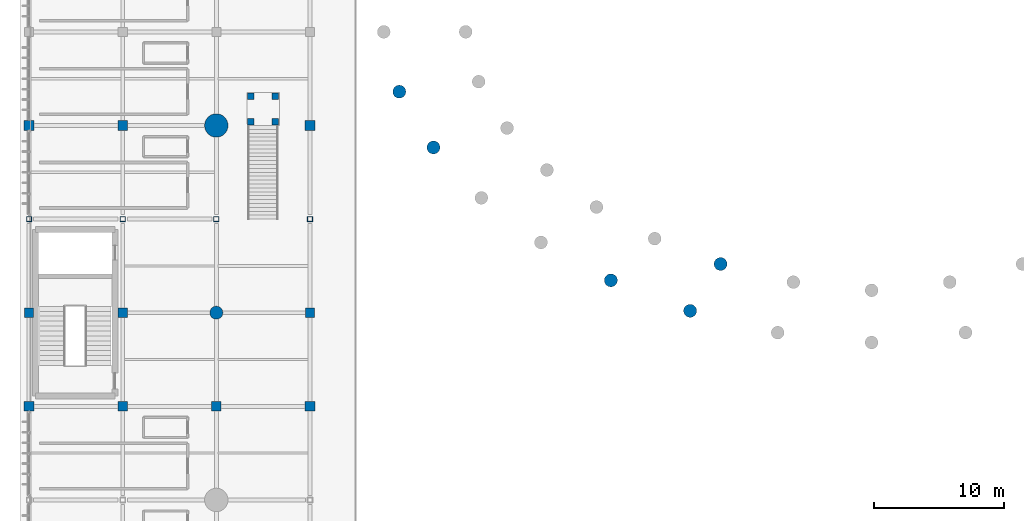
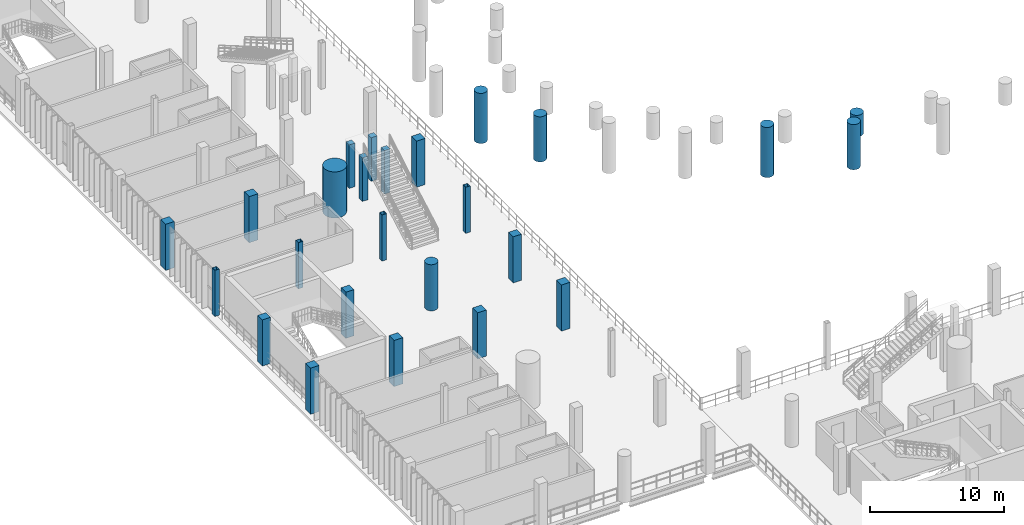
# One storey, part 3 of 130: 25 columns.
"""IFC4 building model written with IfcOpenShell, lengths in metres."""

from ifc_helpers import new_model, si_unit, direction, frame, origin, origin_2d, place, context, subcontext, project, spatial, rectangle, hollow_rectangle, circle, extrude, material, material_profile, profile_set, type_object, element, save


model = new_model("IFC4")

# Units and contexts
model_context = context("Model", 3, precision=1e-05, world=origin(), true_north=direction((0.0, 1.0)))
body_context = subcontext(model_context, "Body", "Model", "MODEL_VIEW")
ifc_project = project(units=[si_unit("LENGTHUNIT", "METRE"), si_unit("AREAUNIT", "SQUARE_METRE"), si_unit("VOLUMEUNIT", "CUBIC_METRE"), si_unit("PLANEANGLEUNIT", "RADIAN"), si_unit("MASSUNIT", "GRAM", prefix="KILO")], contexts=[model_context])

# Site, building, storey
site_placement = place(None, origin())
site = spatial("IfcSite", under=ifc_project, at=site_placement, CompositionType="ELEMENT")
building_placement = place(site_placement, origin())
building = spatial("IfcBuilding", under=site, at=building_placement, Name="Qandorah Velis Arena", CompositionType="ELEMENT")
storey_placement = place(building_placement, frame((0.0, 0.0, 9.60009765625)))
storey = spatial("IfcBuildingStorey", under=building, at=storey_placement, Name="L02", CompositionType="ELEMENT", Elevation=9.60009765625)

# Columns
ifc_material_1 = material(Name="Concrete C50/60", Category="concrete")
ifc_material_profile_1 = material_profile(ifc_material_1, circle(Radius=0.89990234375, at=origin_2d()), Name="MC D1800")
ifc_profile_set_1 = profile_set([ifc_material_profile_1], Name="Concrete C50/60")
column_type_1 = type_object("IfcColumnType", Name="STR-COL-MC1800", PredefinedType="COLUMN", material=ifc_profile_set_1)
column_1_placement = place(storey_placement, frame((14.39990234375, 57.60009765625, 0.0), z_axis=(0.0, 0.0, 1.0), x_axis=(1.0, 0.0, 0.0)))
element("IfcColumn", 1, at=column_1_placement, inside=storey, type_object=column_type_1, Name="Mega column MC2 (L02)", PredefinedType="COLUMN", context=body_context, shape_type="SweptSolid", body=[
    extrude(circle(Radius=0.89990234375, at=origin_2d()), origin(), (0.0, 0.0, 1.0), 4.199951171875),
])
ifc_material_2 = material(Name="Concrete C40/50", Category="concrete")
ifc_material_profile_2 = material_profile(ifc_material_2, rectangle(XDim=0.5, YDim=0.5, at=origin_2d()), Name="RC COL 500x500")
ifc_profile_set_2 = profile_set([ifc_material_profile_2], Name="Concrete C40/50")
column_type_2 = type_object("IfcColumnType", Name="STR-COL-RC500", PredefinedType="COLUMN", material=ifc_profile_set_2)
for number, where, z_axis, x_axis, name in (
    (2, (17.050048828125, 57.89990234375, 0.0), (0.0, 0.0, 1.0), (1.0, 0.0, 0.0), "Vomitory VS15 L02 landing column 1"),
    (3, (18.949951171875, 57.89990234375, 0.0), (0.0, 0.0, 1.0), (1.0, 0.0, 0.0), "Vomitory VS15 L02 landing column 2"),
    (4, (17.050048828125, 59.85009765625, 0.0), (0.0, 0.0, 1.0), (1.0, 0.0, 0.0), "Vomitory VS15 L02 landing column 3"),
    (5, (18.949951171875, 59.85009765625, 0.0), (0.0, 0.0, 1.0), (1.0, 0.0, 0.0), "Vomitory VS15 L02 landing column 4"),
):
    element("IfcColumn", number, at=place(storey_placement, frame(where, z_axis=z_axis, x_axis=x_axis)), inside=storey, type_object=column_type_2, Name=name, PredefinedType="COLUMN", context=body_context, shape_type="SweptSolid", body=[
        extrude(rectangle(XDim=0.5, YDim=0.5, at=origin_2d()), origin(), (0.0, 0.0, 1.0), 3.9599609375),
    ])
ifc_material_profile_3 = material_profile(ifc_material_2, rectangle(XDim=0.699951171875, YDim=0.699951171875, at=origin_2d()), Name="RC COL 700x700")
ifc_profile_set_3 = profile_set([ifc_material_profile_3], Name="Concrete C40/50")
column_type_3 = type_object("IfcColumnType", Name="STR-COL-RC700", PredefinedType="COLUMN", material=ifc_profile_set_3)
for number, where, z_axis, x_axis, name in (
    (6, (0.0, 43.199951171875, 0.0), (0.0, 0.0, 1.0), (1.0, 0.0, 0.0), "Structural column L02-004"),
    (7, (7.199951171875, 43.199951171875, 0.0), (0.0, 0.0, 1.0), (1.0, 0.0, 0.0), "Structural column L02-019"),
    (8, (21.60009765625, 43.199951171875, 0.0), (0.0, 0.0, 1.0), (1.0, 0.0, 0.0), "Structural column L02-049"),
):
    element("IfcColumn", number, at=place(storey_placement, frame(where, z_axis=z_axis, x_axis=x_axis)), inside=storey, type_object=column_type_3, Name=name, PredefinedType="COLUMN", context=body_context, shape_type="SweptSolid", body=[
        extrude(rectangle(XDim=0.699951171875, YDim=0.699951171875, at=origin_2d()), origin(), (0.0, 0.0, 1.0), 4.199951171875),
    ])
ifc_material_profile_4 = material_profile(ifc_material_2, rectangle(XDim=0.75, YDim=0.75, at=origin_2d()), Name="RC COL 750x750")
ifc_profile_set_4 = profile_set([ifc_material_profile_4], Name="Concrete C40/50")
column_type_4 = type_object("IfcColumnType", Name="STR-COL-RC750", PredefinedType="COLUMN", material=ifc_profile_set_4)
for number, where, z_axis, x_axis, name in (
    (9, (0.0, 36.0, 0.0), (0.0, 0.0, 1.0), (1.0, 0.0, 0.0), "Structural column L02-003"),
    (10, (0.0, 57.60009765625, 0.0), (0.0, 0.0, 1.0), (1.0, 0.0, 0.0), "Structural column L02-006"),
    (11, (7.199951171875, 36.0, 0.0), (0.0, 0.0, 1.0), (1.0, 0.0, 0.0), "Structural column L02-018"),
    (12, (7.199951171875, 57.60009765625, 0.0), (0.0, 0.0, 1.0), (1.0, 0.0, 0.0), "Structural column L02-021"),
    (13, (14.39990234375, 36.0, 0.0), (0.0, 0.0, 1.0), (1.0, 0.0, 0.0), "Structural column L02-033"),
    (14, (21.60009765625, 36.0, 0.0), (0.0, 0.0, 1.0), (1.0, 0.0, 0.0), "Structural column L02-048"),
    (15, (21.60009765625, 57.60009765625, 0.0), (0.0, 0.0, 1.0), (1.0, 0.0, 0.0), "Structural column L02-051"),
):
    element("IfcColumn", number, at=place(storey_placement, frame(where, z_axis=z_axis, x_axis=x_axis)), inside=storey, type_object=column_type_4, Name=name, PredefinedType="COLUMN", context=body_context, shape_type="SweptSolid", body=[
        extrude(rectangle(XDim=0.75, YDim=0.75, at=origin_2d()), origin(), (0.0, 0.0, 1.0), 4.199951171875),
    ])
ifc_material_profile_5 = material_profile(ifc_material_2, circle(Radius=0.5, at=origin_2d()), Name="RC D1000")
ifc_profile_set_5 = profile_set([ifc_material_profile_5], Name="Concrete C40/50")
column_type_5 = type_object("IfcColumnType", Name="STR-COL-RCD1000", PredefinedType="COLUMN", material=ifc_profile_set_5)
column_2_placement = place(storey_placement, frame((14.39990234375, 43.199951171875, 0.0), z_axis=(0.0, 0.0, 1.0), x_axis=(1.0, 0.0, 0.0)))
element("IfcColumn", 16, at=column_2_placement, inside=storey, type_object=column_type_5, Name="Bowl drum ring column L02-034", PredefinedType="COLUMN", context=body_context, shape_type="SweptSolid", body=[
    extrude(circle(Radius=0.5, at=origin_2d()), origin(), (0.0, 0.0, 1.0), 4.199951171875),
])
column_3_placement = place(storey_placement, frame((28.474609375, 60.19921875, 0.0), z_axis=(0.0, 0.0, 1.0), x_axis=(1.0, 0.0, 0.0)))
element("IfcColumn", 17, at=column_3_placement, inside=storey, type_object=column_type_5, Name="Outer bowl raker column L02 9.2", PredefinedType="COLUMN", context=body_context, shape_type="SweptSolid", body=[
    extrude(circle(Radius=0.5, at=origin_2d()), origin(), (0.0, 0.0, 1.0), 4.5595703125),
])
column_4_placement = place(storey_placement, frame((31.101806640625, 55.912109375, 0.0), z_axis=(0.0, 0.0, 1.0), x_axis=(1.0, 0.0, 0.0)))
element("IfcColumn", 18, at=column_4_placement, inside=storey, type_object=column_type_5, Name="Outer bowl raker column L02 10.1", PredefinedType="COLUMN", context=body_context, shape_type="SweptSolid", body=[
    extrude(circle(Radius=0.5, at=origin_2d()), origin(), (0.0, 0.0, 1.0), 4.109619140625),
])
column_5_placement = place(storey_placement, frame((44.746826171875, 45.690185546875, 0.0), z_axis=(0.0, 0.0, 1.0), x_axis=(1.0, 0.0, 0.0)))
element("IfcColumn", 19, at=column_5_placement, inside=storey, type_object=column_type_5, Name="Outer bowl raker column L02 11.2", PredefinedType="COLUMN", context=body_context, shape_type="SweptSolid", body=[
    extrude(circle(Radius=0.5, at=origin_2d()), origin(), (0.0, 0.0, 1.0), 4.5595703125),
])
column_6_placement = place(storey_placement, frame((53.185546875, 46.945556640625, 0.0), z_axis=(0.0, 0.0, 1.0), x_axis=(1.0, 0.0, 0.0)))
element("IfcColumn", 20, at=column_6_placement, inside=storey, type_object=column_type_5, Name="Upper raker fulcrum column L02 12.1", PredefinedType="COLUMN", context=body_context, shape_type="SweptSolid", body=[
    extrude(circle(Radius=0.5, at=origin_2d()), origin(), (0.0, 0.0, 1.0), 1.94482421875),
])
column_7_placement = place(storey_placement, frame((50.841796875, 43.342529296875, 0.0), z_axis=(0.0, 0.0, 1.0), x_axis=(1.0, 0.0, 0.0)))
element("IfcColumn", 21, at=column_7_placement, inside=storey, type_object=column_type_5, Name="Outer bowl raker column L02 12.1", PredefinedType="COLUMN", context=body_context, shape_type="SweptSolid", body=[
    extrude(circle(Radius=0.5, at=origin_2d()), origin(), (0.0, 0.0, 1.0), 4.109619140625),
])
ifc_material_3 = material(Name="Steel S355", Category="steel")
ifc_material_profile_6 = material_profile(ifc_material_3, hollow_rectangle(XDim=0.39990234375, YDim=0.39990234375, WallThickness=0.02001953125, at=origin_2d()), Name="SHS 400x400x20")
ifc_profile_set_6 = profile_set([ifc_material_profile_6], Name="Steel S355")
column_type_6 = type_object("IfcColumnType", Name="STR-COL-SHS400", PredefinedType="COLUMN", material=ifc_profile_set_6)
for number, where, z_axis, x_axis, name in (
    (22, (0.0, 50.39990234375, 0.0), (0.0, 0.0, 1.0), (1.0, 0.0, 0.0), "Structural column L02-005"),
    (23, (7.199951171875, 50.39990234375, 0.0), (0.0, 0.0, 1.0), (1.0, 0.0, 0.0), "Structural column L02-020"),
    (24, (14.39990234375, 50.39990234375, 0.0), (0.0, 0.0, 1.0), (1.0, 0.0, 0.0), "Structural column L02-035"),
    (25, (21.60009765625, 50.39990234375, 0.0), (0.0, 0.0, 1.0), (1.0, 0.0, 0.0), "Structural column L02-050"),
):
    element("IfcColumn", number, at=place(storey_placement, frame(where, z_axis=z_axis, x_axis=x_axis)), inside=storey, type_object=column_type_6, Name=name, PredefinedType="COLUMN", context=body_context, shape_type="SweptSolid", body=[
        extrude(hollow_rectangle(XDim=0.39990234375, YDim=0.39990234375, WallThickness=0.02001953125, at=origin_2d()), origin(), (0.0, 0.0, 1.0), 4.199951171875),
    ])

save(model, "model.ifc")
